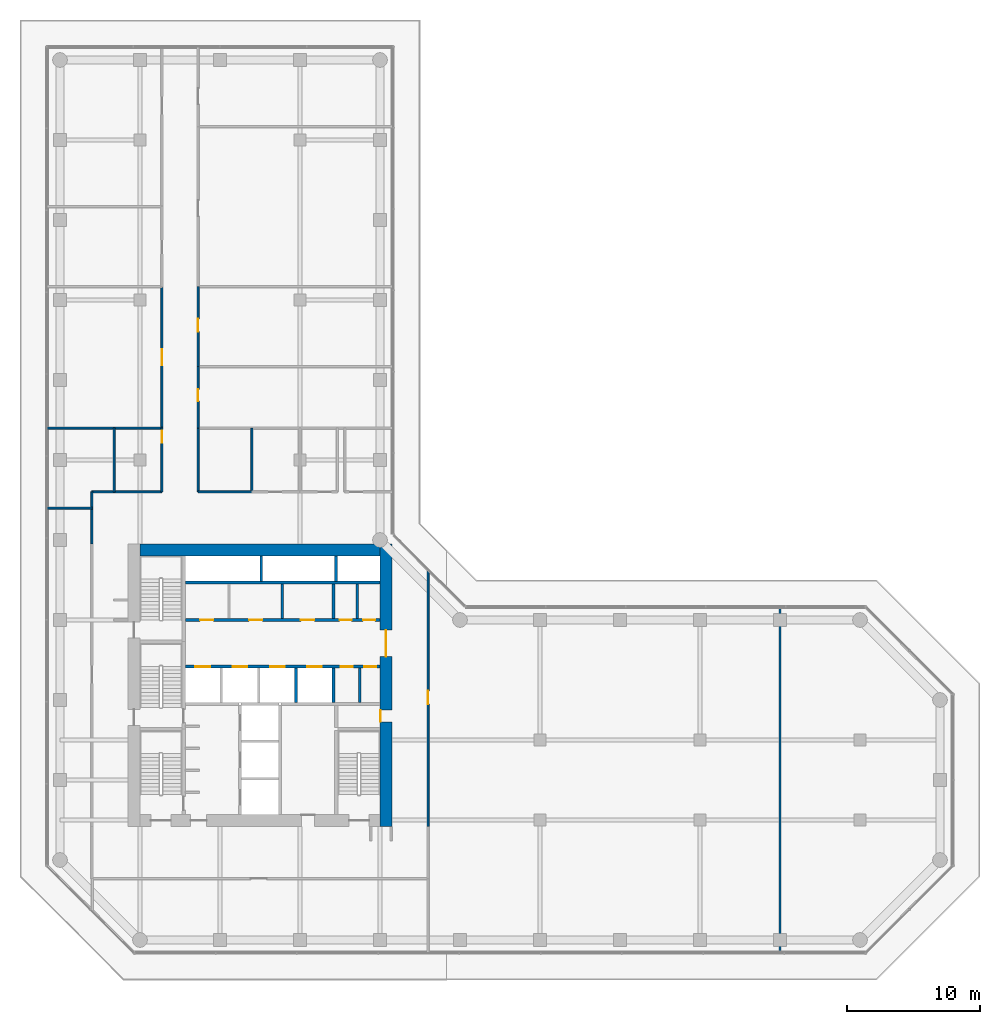
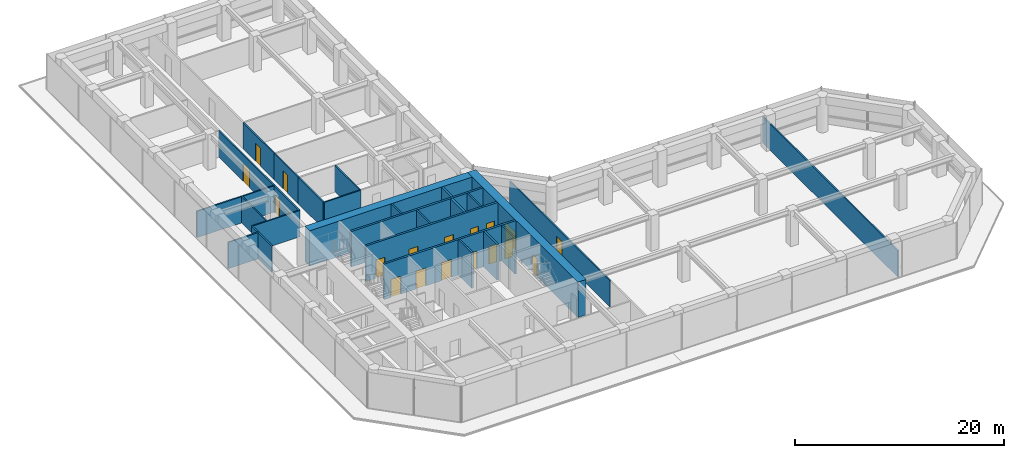
# One storey, part 22 of 24: 27 walls, 18 doors, 18 openings.
"""IFC4 building model written with IfcOpenShell, lengths in metres."""

from ifc_helpers import new_model, si_unit, direction, frame, frame_2d, origin, place, context, subcontext, project, spatial, rectangle, extrude, material, layer, layer_set, type_object, element, fill, save


model = new_model("IFC4")

# Units and contexts
model_context = context("Model", 3, precision=1e-05, world=origin(), true_north=direction((0.0, 1.0)))
body_context = subcontext(model_context, "Body", "Model", "MODEL_VIEW")
ifc_project = project(units=[si_unit("LENGTHUNIT", "METRE"), si_unit("AREAUNIT", "SQUARE_METRE"), si_unit("VOLUMEUNIT", "CUBIC_METRE"), si_unit("PLANEANGLEUNIT", "RADIAN"), si_unit("MASSUNIT", "GRAM", prefix="KILO")], contexts=[model_context])

# Site, building, storey
site_placement = place(None, origin())
site = spatial("IfcSite", under=ifc_project, at=site_placement, CompositionType="ELEMENT")
building_placement = place(site_placement, origin())
building = spatial("IfcBuilding", under=site, at=building_placement, Name="Welwitschia Terrace Campus", CompositionType="ELEMENT")
storey_placement = place(building_placement, frame((0.0, 0.0, 20.0)))
storey = spatial("IfcBuildingStorey", under=building, at=storey_placement, Name="L04", CompositionType="ELEMENT", Elevation=20.0)

# Walls
ifc_material_1 = material(Name="Concrete C32/40", Category="concrete")
ifc_layer_1 = layer(ifc_material_1, 0.175048828125)
ifc_layer_set_1 = layer_set([ifc_layer_1], Name="Concrete C32/40")
wall_type_1 = type_object("IfcWallType", Name="Core partition 175 Concrete C32/40", PredefinedType="PARTITIONING", material=ifc_layer_set_1)
for number, where, z_axis, x_axis, name in (
    (1, (16.675048828125, 20.10009765625, 0.0), (0.0, 0.0, 1.0), (0.0, 1.0, 0.0), "Core partition"),
    (2, (22.300048828125, 20.10009765625, 0.0), (0.0, 0.0, 1.0), (0.0, 1.0, 0.0), "Core partition"),
    (3, (22.469970703125, 13.800048828125, 0.0), (0.0, 0.0, 1.0), (0.0, 1.0, 0.0), "Core partition"),
):
    element("IfcWall", number, at=place(storey_placement, frame(where, z_axis=z_axis, x_axis=x_axis)), inside=storey, type_object=wall_type_1, Name=name, PredefinedType="PARTITIONING", context=body_context, shape_type="SweptSolid", body=[
        extrude(rectangle(XDim=2.599853515625, YDim=0.175048828125, at=frame_2d((1.2998046875, 0.0))), origin(), (0.0, 0.0, 1.0), 4.14990234375),
    ])

# Wall, openings, doors
ifc_material_2 = material(Name="Concrete C32/40", Category="concrete")
ifc_layer_2 = layer(ifc_material_2, 0.22509765625)
ifc_layer_set_2 = layer_set([ifc_layer_2], Name="Concrete C32/40")
wall_type_2 = type_object("IfcWallType", Name="Core partition 225 Concrete C32/40", PredefinedType="PARTITIONING", material=ifc_layer_set_2)
wall_1_placement = place(storey_placement, frame((9.39990234375, 16.5, 0.0), z_axis=(0.0, 0.0, 1.0), x_axis=(1.0, 0.0, 0.0)))
wall_1 = element("IfcWall", 4, at=wall_1_placement, inside=storey, type_object=wall_type_2, Name="Shaft wall", PredefinedType="PARTITIONING", context=body_context, shape_type="SweptSolid", body=[
    extrude(rectangle(XDim=14.60009765625, YDim=0.22509765625, at=frame_2d((7.300048828125, 0.0))), origin(), (0.0, 0.0, 1.0), 4.14990234375),
])
opening_1_placement = place(wall_1_placement, frame((0.75, 0.0, 0.0)))
opening_1 = element("IfcOpeningElement", 5, at=opening_1_placement, cuts=wall_1, Name="Opening LD", PredefinedType="OPENING", context=body_context, shape_type="SweptSolid", body=[
    extrude(rectangle(XDim=1.10009765625, YDim=2.10009765625, at=frame_2d((0.550048828125, 1.050048828125))), frame((0.0, 0.12255859375, 0.0), z_axis=(0.0, -1.0, 0.0), x_axis=(1.0, 0.0, 0.0)), (0.0, 0.0, 1.0), 0.2451171875),
])
opening_2_placement = place(wall_1_placement, frame((3.550048828125, 0.0, 0.0)))
opening_2 = element("IfcOpeningElement", 6, at=opening_2_placement, cuts=wall_1, Name="Opening LD", PredefinedType="OPENING", context=body_context, shape_type="SweptSolid", body=[
    extrude(rectangle(XDim=1.10009765625, YDim=2.10009765625, at=frame_2d((0.550048828125, 1.050048828125))), frame((0.0, 0.12255859375, 0.0), z_axis=(0.0, -1.0, 0.0), x_axis=(1.0, 0.0, 0.0)), (0.0, 0.0, 1.0), 0.2451171875),
])
opening_3_placement = place(wall_1_placement, frame((6.35009765625, 0.0, 0.0)))
opening_3 = element("IfcOpeningElement", 7, at=opening_3_placement, cuts=wall_1, Name="Opening LD", PredefinedType="OPENING", context=body_context, shape_type="SweptSolid", body=[
    extrude(rectangle(XDim=1.10009765625, YDim=2.10009765625, at=frame_2d((0.550048828125, 1.050048828125))), frame((0.0, 0.12255859375, 0.0), z_axis=(0.0, -1.0, 0.0), x_axis=(1.0, 0.0, 0.0)), (0.0, 0.0, 1.0), 0.2451171875),
])
opening_4_placement = place(wall_1_placement, frame((9.14990234375, 0.0, 0.0)))
opening_4 = element("IfcOpeningElement", 8, at=opening_4_placement, cuts=wall_1, Name="Opening LD", PredefinedType="OPENING", context=body_context, shape_type="SweptSolid", body=[
    extrude(rectangle(XDim=1.10009765625, YDim=2.10009765625, at=frame_2d((0.550048828125, 1.050048828125))), frame((0.0, 0.12255859375, 0.0), z_axis=(0.0, -1.0, 0.0), x_axis=(1.0, 0.0, 0.0)), (0.0, 0.0, 1.0), 0.2451171875),
])
opening_5_placement = place(wall_1_placement, frame((11.6474609375, 0.0, 0.0)))
opening_5 = element("IfcOpeningElement", 9, at=opening_5_placement, cuts=wall_1, Name="Opening DR09", PredefinedType="OPENING", context=body_context, shape_type="SweptSolid", body=[
    extrude(rectangle(XDim=0.89990234375, YDim=2.10009765625, at=frame_2d((0.449951171875, 1.050048828125))), frame((0.0, 0.12255859375, 0.0), z_axis=(0.0, -1.0, 0.0), x_axis=(1.0, 0.0, 0.0)), (0.0, 0.0, 1.0), 0.2451171875),
])
opening_6_placement = place(wall_1_placement, frame((13.422607421875, 0.0, 0.0)))
opening_6 = element("IfcOpeningElement", 10, at=opening_6_placement, cuts=wall_1, Name="Opening DR09", PredefinedType="OPENING", context=body_context, shape_type="SweptSolid", body=[
    extrude(rectangle(XDim=0.89990234375, YDim=2.10009765625, at=frame_2d((0.449951171875, 1.050048828125))), frame((0.0, 0.12255859375, 0.0), z_axis=(0.0, -1.0, 0.0), x_axis=(1.0, 0.0, 0.0)), (0.0, 0.0, 1.0), 0.2451171875),
])
ifc_material_3 = material(Name="Steel S275", Category="steel")
door_type_1 = type_object("IfcDoorType", Name="Core door DR09", OperationType="SINGLE_SWING_LEFT", PredefinedType="DOOR", material=ifc_material_3)
door_1_placement = place(opening_5_placement, origin())
door_1 = element("IfcDoor", 11, at=door_1_placement, inside=storey, type_object=door_type_1, Name="Door EL1-D", OperationType="SINGLE_SWING_RIGHT", OverallHeight=2.10009765625, OverallWidth=0.89990234375, PredefinedType="DOOR", context=body_context, shape_type="SweptSolid", body=[
    extrude(rectangle(XDim=0.89990234375, YDim=2.10009765625, at=frame_2d((0.449951171875, 1.050048828125))), frame((0.0, 0.02490234375, 0.0), z_axis=(0.0, -1.0, 0.0), x_axis=(1.0, 0.0, 0.0)), (0.0, 0.0, 1.0), 0.050048828125),
])
fill(opening_5, door_1)
door_2_placement = place(opening_6_placement, origin())
door_2 = element("IfcDoor", 12, at=door_2_placement, inside=storey, type_object=door_type_1, Name="Door EL2-D", OperationType="SINGLE_SWING_RIGHT", OverallHeight=2.10009765625, OverallWidth=0.89990234375, PredefinedType="DOOR", context=body_context, shape_type="SweptSolid", body=[
    extrude(rectangle(XDim=0.89990234375, YDim=2.10009765625, at=frame_2d((0.449951171875, 1.050048828125))), frame((0.0, 0.02490234375, 0.0), z_axis=(0.0, -1.0, 0.0), x_axis=(1.0, 0.0, 0.0)), (0.0, 0.0, 1.0), 0.050048828125),
])
fill(opening_6, door_2)
ifc_material_4 = material(Name="Stainless steel 304", Category="steel")
door_type_2 = type_object("IfcDoorType", Name="Lift landing door", OperationType="DOUBLE_DOOR_SLIDING", PredefinedType="DOOR", material=ifc_material_4)
door_3_placement = place(opening_1_placement, origin())
door_3 = element("IfcDoor", 13, at=door_3_placement, inside=storey, type_object=door_type_2, Name="Landing door LR1", OperationType="DOUBLE_DOOR_SLIDING", OverallHeight=2.10009765625, OverallWidth=1.10009765625, PredefinedType="DOOR", context=body_context, shape_type="SweptSolid", body=[
    extrude(rectangle(XDim=1.10009765625, YDim=2.10009765625, at=frame_2d((0.550048828125, 1.050048828125))), frame((0.0, 0.02490234375, 0.0), z_axis=(0.0, -1.0, 0.0), x_axis=(1.0, 0.0, 0.0)), (0.0, 0.0, 1.0), 0.050048828125),
])
fill(opening_1, door_3)
door_4_placement = place(opening_2_placement, origin())
door_4 = element("IfcDoor", 14, at=door_4_placement, inside=storey, type_object=door_type_2, Name="Landing door LR2", OperationType="DOUBLE_DOOR_SLIDING", OverallHeight=2.10009765625, OverallWidth=1.10009765625, PredefinedType="DOOR", context=body_context, shape_type="SweptSolid", body=[
    extrude(rectangle(XDim=1.10009765625, YDim=2.10009765625, at=frame_2d((0.550048828125, 1.050048828125))), frame((0.0, 0.02490234375, 0.0), z_axis=(0.0, -1.0, 0.0), x_axis=(1.0, 0.0, 0.0)), (0.0, 0.0, 1.0), 0.050048828125),
])
fill(opening_2, door_4)
door_5_placement = place(opening_3_placement, origin())
door_5 = element("IfcDoor", 15, at=door_5_placement, inside=storey, type_object=door_type_2, Name="Landing door LR3", OperationType="DOUBLE_DOOR_SLIDING", OverallHeight=2.10009765625, OverallWidth=1.10009765625, PredefinedType="DOOR", context=body_context, shape_type="SweptSolid", body=[
    extrude(rectangle(XDim=1.10009765625, YDim=2.10009765625, at=frame_2d((0.550048828125, 1.050048828125))), frame((0.0, 0.02490234375, 0.0), z_axis=(0.0, -1.0, 0.0), x_axis=(1.0, 0.0, 0.0)), (0.0, 0.0, 1.0), 0.050048828125),
])
fill(opening_3, door_5)
door_6_placement = place(opening_4_placement, origin())
door_6 = element("IfcDoor", 16, at=door_6_placement, inside=storey, type_object=door_type_2, Name="Landing door LR4", OperationType="DOUBLE_DOOR_SLIDING", OverallHeight=2.10009765625, OverallWidth=1.10009765625, PredefinedType="DOOR", context=body_context, shape_type="SweptSolid", body=[
    extrude(rectangle(XDim=1.10009765625, YDim=2.10009765625, at=frame_2d((0.550048828125, 1.050048828125))), frame((0.0, 0.02490234375, 0.0), z_axis=(0.0, -1.0, 0.0), x_axis=(1.0, 0.0, 0.0)), (0.0, 0.0, 1.0), 0.050048828125),
])
fill(opening_4, door_6)

wall_2_placement = place(storey_placement, frame((24.0, 20.0, 0.0), z_axis=(0.0, 0.0, 1.0), x_axis=(-1.0, 0.0, 0.0)))
wall_2 = element("IfcWall", 17, at=wall_2_placement, inside=storey, type_object=wall_type_2, Name="Core partition", PredefinedType="PARTITIONING", context=body_context, shape_type="SweptSolid", body=[
    extrude(rectangle(XDim=14.60009765625, YDim=0.22509765625, at=frame_2d((7.300048828125, 0.0))), origin(), (0.0, 0.0, 1.0), 4.14990234375),
])
opening_7_placement = place(wall_2_placement, frame((12.5, 0.0, 0.0)))
opening_7 = element("IfcOpeningElement", 18, at=opening_7_placement, cuts=wall_2, Name="Opening DR10", PredefinedType="OPENING", context=body_context, shape_type="SweptSolid", body=[
    extrude(rectangle(XDim=1.0, YDim=2.10009765625, at=frame_2d((0.5, 1.050048828125))), frame((0.0, 0.12255859375, 0.0), z_axis=(0.0, -1.0, 0.0), x_axis=(1.0, 0.0, 0.0)), (0.0, 0.0, 1.0), 0.2451171875),
])
opening_8_placement = place(wall_2_placement, frame((8.824951171875, 0.0, 0.0)))
opening_8 = element("IfcOpeningElement", 19, at=opening_8_placement, cuts=wall_2, Name="Opening DR10", PredefinedType="OPENING", context=body_context, shape_type="SweptSolid", body=[
    extrude(rectangle(XDim=1.0, YDim=2.10009765625, at=frame_2d((0.5, 1.050048828125))), frame((0.0, 0.12255859375, 0.0), z_axis=(0.0, -1.0, 0.0), x_axis=(1.0, 0.0, 0.0)), (0.0, 0.0, 1.0), 0.2451171875),
])
opening_9_placement = place(wall_2_placement, frame((4.925048828125, 0.0, 0.0)))
opening_9 = element("IfcOpeningElement", 20, at=opening_9_placement, cuts=wall_2, Name="Opening DR10", PredefinedType="OPENING", context=body_context, shape_type="SweptSolid", body=[
    extrude(rectangle(XDim=1.0, YDim=2.10009765625, at=frame_2d((0.5, 1.050048828125))), frame((0.0, 0.12255859375, 0.0), z_axis=(0.0, -1.0, 0.0), x_axis=(1.0, 0.0, 0.0)), (0.0, 0.0, 1.0), 0.2451171875),
])
opening_10_placement = place(wall_2_placement, frame((2.137451171875, 0.0, 0.0)))
opening_10 = element("IfcOpeningElement", 21, at=opening_10_placement, cuts=wall_2, Name="Opening DR09", PredefinedType="OPENING", context=body_context, shape_type="SweptSolid", body=[
    extrude(rectangle(XDim=0.89990234375, YDim=2.10009765625, at=frame_2d((0.449951171875, 1.050048828125))), frame((0.0, 0.12255859375, 0.0), z_axis=(0.0, -1.0, 0.0), x_axis=(1.0, 0.0, 0.0)), (0.0, 0.0, 1.0), 0.2451171875),
])
opening_11_placement = place(wall_2_placement, frame((0.362548828125, 0.0, 0.0)))
opening_11 = element("IfcOpeningElement", 22, at=opening_11_placement, cuts=wall_2, Name="Opening DR09", PredefinedType="OPENING", context=body_context, shape_type="SweptSolid", body=[
    extrude(rectangle(XDim=0.89990234375, YDim=2.10009765625, at=frame_2d((0.449951171875, 1.050048828125))), frame((0.0, 0.12255859375, 0.0), z_axis=(0.0, -1.0, 0.0), x_axis=(1.0, 0.0, 0.0)), (0.0, 0.0, 1.0), 0.2451171875),
])
door_7_placement = place(opening_10_placement, origin())
door_7 = element("IfcDoor", 23, at=door_7_placement, inside=storey, type_object=door_type_1, Name="Door EH1-D", OperationType="SINGLE_SWING_LEFT", OverallHeight=2.10009765625, OverallWidth=0.89990234375, PredefinedType="DOOR", context=body_context, shape_type="SweptSolid", body=[
    extrude(rectangle(XDim=0.89990234375, YDim=2.10009765625, at=frame_2d((0.449951171875, 1.050048828125))), frame((0.0, 0.02490234375, 0.0), z_axis=(0.0, -1.0, 0.0), x_axis=(1.0, 0.0, 0.0)), (0.0, 0.0, 1.0), 0.050048828125),
])
fill(opening_10, door_7)
door_8_placement = place(opening_11_placement, origin())
door_8 = element("IfcDoor", 24, at=door_8_placement, inside=storey, type_object=door_type_1, Name="Door EH2-D", OperationType="SINGLE_SWING_LEFT", OverallHeight=2.10009765625, OverallWidth=0.89990234375, PredefinedType="DOOR", context=body_context, shape_type="SweptSolid", body=[
    extrude(rectangle(XDim=0.89990234375, YDim=2.10009765625, at=frame_2d((0.449951171875, 1.050048828125))), frame((0.0, 0.02490234375, 0.0), z_axis=(0.0, -1.0, 0.0), x_axis=(1.0, 0.0, 0.0)), (0.0, 0.0, 1.0), 0.050048828125),
])
fill(opening_11, door_8)
ifc_material_5 = material(Name="Steel S275", Category="steel")
door_type_3 = type_object("IfcDoorType", Name="Core door DR10", OperationType="SINGLE_SWING_LEFT", PredefinedType="DOOR", material=ifc_material_5)
door_9_placement = place(opening_7_placement, origin())
door_9 = element("IfcDoor", 25, at=door_9_placement, inside=storey, type_object=door_type_3, Name="Door BAYH1-D", OperationType="SINGLE_SWING_RIGHT", OverallHeight=2.10009765625, OverallWidth=1.0, PredefinedType="DOOR", context=body_context, shape_type="SweptSolid", body=[
    extrude(rectangle(XDim=1.0, YDim=2.10009765625, at=frame_2d((0.5, 1.050048828125))), frame((0.0, 0.02490234375, 0.0), z_axis=(0.0, -1.0, 0.0), x_axis=(1.0, 0.0, 0.0)), (0.0, 0.0, 1.0), 0.050048828125),
])
fill(opening_7, door_9)
door_10_placement = place(opening_8_placement, origin())
door_10 = element("IfcDoor", 26, at=door_10_placement, inside=storey, type_object=door_type_3, Name="Door BAYH2-D", OperationType="SINGLE_SWING_RIGHT", OverallHeight=2.10009765625, OverallWidth=1.0, PredefinedType="DOOR", context=body_context, shape_type="SweptSolid", body=[
    extrude(rectangle(XDim=1.0, YDim=2.10009765625, at=frame_2d((0.5, 1.050048828125))), frame((0.0, 0.02490234375, 0.0), z_axis=(0.0, -1.0, 0.0), x_axis=(1.0, 0.0, 0.0)), (0.0, 0.0, 1.0), 0.050048828125),
])
fill(opening_8, door_10)
door_11_placement = place(opening_9_placement, origin())
door_11 = element("IfcDoor", 27, at=door_11_placement, inside=storey, type_object=door_type_3, Name="Door BAYH3-D", OperationType="SINGLE_SWING_LEFT", OverallHeight=2.10009765625, OverallWidth=1.0, PredefinedType="DOOR", context=body_context, shape_type="SweptSolid", body=[
    extrude(rectangle(XDim=1.0, YDim=2.10009765625, at=frame_2d((0.5, 1.050048828125))), frame((0.0, 0.02490234375, 0.0), z_axis=(0.0, -1.0, 0.0), x_axis=(1.0, 0.0, 0.0)), (0.0, 0.0, 1.0), 0.050048828125),
])
fill(opening_9, door_11)

# Walls
wall_3_placement = place(storey_placement, frame((9.39990234375, 22.800048828125, 0.0), z_axis=(0.0, 0.0, 1.0), x_axis=(1.0, 0.0, 0.0)))
element("IfcWall", 28, at=wall_3_placement, inside=storey, type_object=wall_type_2, Name="Shaft wall", PredefinedType="PARTITIONING", context=body_context, shape_type="SweptSolid", body=[
    extrude(rectangle(XDim=14.60009765625, YDim=0.22509765625, at=frame_2d((7.300048828125, 0.0))), origin(), (0.0, 0.0, 1.0), 4.14990234375),
])
for number, where, z_axis, x_axis, name in (
    (29, (20.5, 13.800048828125, 0.0), (0.0, 0.0, 1.0), (0.0, 1.0, 0.0), "Shaft wall"),
    (30, (20.5, 20.10009765625, 0.0), (0.0, 0.0, 1.0), (0.0, 1.0, 0.0), "Core partition"),
):
    element("IfcWall", number, at=place(storey_placement, frame(where, z_axis=z_axis, x_axis=x_axis)), inside=storey, type_object=wall_type_2, Name=name, PredefinedType="PARTITIONING", context=body_context, shape_type="SweptSolid", body=[
        extrude(rectangle(XDim=2.599853515625, YDim=0.22509765625, at=frame_2d((1.2998046875, 0.0))), origin(), (0.0, 0.0, 1.0), 4.14990234375),
    ])
ifc_material_6 = material(Name="Concrete C50/60", Category="concrete")
ifc_layer_3 = layer(ifc_material_6, 0.199951171875)
ifc_layer_set_3 = layer_set([ifc_layer_3], Name="Concrete C50/60")
wall_type_3 = type_object("IfcWallType", Name="Core wall 200 Concrete C50/60", PredefinedType="SHEAR", material=ifc_layer_set_3)
for number, where, z_axis, x_axis, name in (
    (31, (15.10009765625, 22.89990234375, 0.0), (0.0, 0.0, 1.0), (0.0, 1.0, 0.0), "Core wall"),
    (32, (20.699951171875, 22.89990234375, 0.0), (0.0, 0.0, 1.0), (0.0, 1.0, 0.0), "Core wall"),
):
    element("IfcWall", number, at=place(storey_placement, frame(where, z_axis=z_axis, x_axis=x_axis)), inside=storey, type_object=wall_type_3, Name=name, PredefinedType="SHEAR", context=body_context, shape_type="SweptSolid", body=[
        extrude(rectangle(XDim=1.900146484375, YDim=0.199951171875, at=frame_2d((0.9501953125, 0.0))), origin(), (0.0, 0.0, 1.0), 4.14990234375),
    ])

# Wall, openings, doors
ifc_material_7 = material(Name="Concrete C70/85", Category="concrete")
ifc_layer_4 = layer(ifc_material_7, 0.89990234375)
ifc_layer_set_4 = layer_set([ifc_layer_4], Name="Concrete C70/85")
wall_type_4 = type_object("IfcWallType", Name="Core wall 900 Concrete C70/85", PredefinedType="SHEAR", material=ifc_layer_set_4)
wall_4_placement = place(storey_placement, frame((24.449951171875, 25.699951171875, 0.0), z_axis=(0.0, 0.0, 1.0), x_axis=(0.0, -1.0, 0.0)))
wall_4 = element("IfcWall", 33, at=wall_4_placement, inside=storey, type_object=wall_type_4, Name="Core outer wall", PredefinedType="SHEAR", context=body_context, shape_type="SweptSolid", body=[
    extrude(rectangle(XDim=21.199951171875, YDim=0.89990234375, at=frame_2d((10.60009765625, 0.0))), origin(), (0.0, 0.0, 1.0), 4.14990234375),
])
opening_12_placement = place(wall_4_placement, frame((12.449951171875, 0.0, 0.0)))
opening_12 = element("IfcOpeningElement", 34, at=opening_12_placement, cuts=wall_4, Name="Opening DR09", PredefinedType="OPENING", context=body_context, shape_type="SweptSolid", body=[
    extrude(rectangle(XDim=0.89990234375, YDim=2.10009765625, at=frame_2d((0.449951171875, 1.050048828125))), frame((0.0, 0.4599609375, 0.0), z_axis=(0.0, -1.0, 0.0), x_axis=(1.0, 0.0, 0.0)), (0.0, 0.0, 1.0), 0.919921875),
])
opening_13_placement = place(wall_4_placement, frame((6.449951171875, 0.0, 0.0)))
opening_13 = element("IfcOpeningElement", 35, at=opening_13_placement, cuts=wall_4, Name="Opening DL20", PredefinedType="OPENING", context=body_context, shape_type="SweptSolid", body=[
    extrude(rectangle(XDim=2.0, YDim=2.10009765625, at=frame_2d((1.0, 1.050048828125))), frame((0.0, 0.4599609375, 0.0), z_axis=(0.0, -1.0, 0.0), x_axis=(1.0, 0.0, 0.0)), (0.0, 0.0, 1.0), 0.919921875),
])
ifc_material_8 = material(Name="Steel S275", Category="steel")
door_type_4 = type_object("IfcDoorType", Name="Core door DL20", OperationType="DOUBLE_DOOR_SINGLE_SWING", PredefinedType="DOOR", material=ifc_material_8)
door_12_placement = place(opening_13_placement, origin())
door_12 = element("IfcDoor", 36, at=door_12_placement, inside=storey, type_object=door_type_4, Name="Door LOBBY-out", OperationType="DOUBLE_DOOR_SINGLE_SWING", OverallHeight=2.10009765625, OverallWidth=2.0, PredefinedType="DOOR", context=body_context, shape_type="SweptSolid", body=[
    extrude(rectangle(XDim=2.0, YDim=2.10009765625, at=frame_2d((1.0, 1.050048828125))), frame((0.0, 0.02490234375, 0.0), z_axis=(0.0, -1.0, 0.0), x_axis=(1.0, 0.0, 0.0)), (0.0, 0.0, 1.0), 0.050048828125),
])
fill(opening_13, door_12)
door_13_placement = place(opening_12_placement, origin())
door_13 = element("IfcDoor", 37, at=door_13_placement, inside=storey, type_object=door_type_1, Name="Door F1B-out", OperationType="SINGLE_SWING_RIGHT", OverallHeight=2.10009765625, OverallWidth=0.89990234375, PredefinedType="DOOR", context=body_context, shape_type="SweptSolid", body=[
    extrude(rectangle(XDim=0.89990234375, YDim=2.10009765625, at=frame_2d((0.449951171875, 1.050048828125))), frame((0.0, -0.39013671875, 0.0), z_axis=(0.0, -1.0, 0.0), x_axis=(1.0, 0.0, 0.0)), (0.0, 0.0, 1.0), 0.050048828125),
])
fill(opening_12, door_13)

# Walls
wall_5_placement = place(storey_placement, frame((6.0, 25.25, 0.0), z_axis=(0.0, 0.0, 1.0), x_axis=(1.0, 0.0, 0.0)))
element("IfcWall", 38, at=wall_5_placement, inside=storey, type_object=wall_type_4, Name="Core outer wall", PredefinedType="SHEAR", context=body_context, shape_type="SweptSolid", body=[
    extrude(rectangle(XDim=18.0, YDim=0.89990234375, at=frame_2d((9.0, 0.0))), origin(), (0.0, 0.0, 1.0), 4.14990234375),
])
ifc_material_9 = material(Name="Gypsum board on steel studs", Category="steel")
ifc_layer_5 = layer(ifc_material_9, 0.14990234375)
ifc_layer_set_5 = layer_set([ifc_layer_5], Name="Gypsum board on steel studs")
wall_type_5 = type_object("IfcWallType", Name="Corridor partition 150 EI 30", PredefinedType="PARTITIONING", material=ifc_layer_set_5)
wall_6_placement = place(storey_placement, frame((-0.969970703125, 28.39990234375, 0.0), z_axis=(0.0, 0.0, 1.0), x_axis=(1.0, 0.0, 0.0)))
element("IfcWall", 39, at=wall_6_placement, inside=storey, type_object=wall_type_5, Name="Partition", PredefinedType="PARTITIONING", context=body_context, shape_type="SweptSolid", body=[
    extrude(rectangle(XDim=3.369873046875, YDim=0.14990234375, at=frame_2d((1.68505859375, 0.0))), origin(), (0.0, 0.0, 1.0), 3.080078125),
])
wall_7_placement = place(storey_placement, frame((-0.969970703125, 34.39990234375, 0.0), z_axis=(0.0, 0.0, 1.0), x_axis=(1.0, 0.0, 0.0)))
element("IfcWall", 40, at=wall_7_placement, inside=storey, type_object=wall_type_5, Name="Partition", PredefinedType="PARTITIONING", context=body_context, shape_type="SweptSolid", body=[
    extrude(rectangle(XDim=8.619873046875, YDim=0.14990234375, at=frame_2d((4.31005859375, 0.0))), origin(), (0.0, 0.0, 1.0), 3.080078125),
])
wall_8_placement = place(storey_placement, frame((2.39990234375, 25.699951171875, 0.0), z_axis=(0.0, 0.0, 1.0), x_axis=(0.0, 1.0, 0.0)))
element("IfcWall", 41, at=wall_8_placement, inside=storey, type_object=wall_type_5, Name="Partition", PredefinedType="PARTITIONING", context=body_context, shape_type="SweptSolid", body=[
    extrude(rectangle(XDim=3.900146484375, YDim=0.14990234375, at=frame_2d((1.9501953125, 0.0))), origin(), (0.0, 0.0, 1.0), 3.080078125),
])
wall_9_placement = place(storey_placement, frame((2.39990234375, 29.60009765625, 0.0), z_axis=(0.0, 0.0, 1.0), x_axis=(1.0, 0.0, 0.0)))
element("IfcWall", 42, at=wall_9_placement, inside=storey, type_object=wall_type_5, Name="Partition", PredefinedType="PARTITIONING", context=body_context, shape_type="SweptSolid", body=[
    extrude(rectangle(XDim=5.25, YDim=0.14990234375, at=frame_2d((2.625, 0.0))), origin(), (0.0, 0.0, 1.0), 3.080078125),
])
wall_10_placement = place(storey_placement, frame((4.050048828125, 29.60009765625, 0.0), z_axis=(0.0, 0.0, 1.0), x_axis=(0.0, 1.0, 0.0)))
element("IfcWall", 43, at=wall_10_placement, inside=storey, type_object=wall_type_5, Name="Partition", PredefinedType="PARTITIONING", context=body_context, shape_type="SweptSolid", body=[
    extrude(rectangle(XDim=4.7998046875, YDim=0.14990234375, at=frame_2d((2.39990234375, 0.0))), origin(), (0.0, 0.0, 1.0), 3.080078125),
])

# Wall, opening, door
wall_11_placement = place(storey_placement, frame((7.64990234375, 29.60009765625, 0.0), z_axis=(0.0, 0.0, 1.0), x_axis=(0.0, 1.0, 0.0)))
wall_11 = element("IfcWall", 44, at=wall_11_placement, inside=storey, type_object=wall_type_5, Name="Partition", PredefinedType="PARTITIONING", context=body_context, shape_type="SweptSolid", body=[
    extrude(rectangle(XDim=4.7998046875, YDim=0.14990234375, at=frame_2d((2.39990234375, 0.0))), origin(), (0.0, 0.0, 1.0), 3.080078125),
])
opening_14_placement = place(wall_11_placement, frame((3.699951171875, 0.0, 0.0)))
opening_14 = element("IfcOpeningElement", 45, at=opening_14_placement, cuts=wall_11, Name="Opening DI09", PredefinedType="OPENING", context=body_context, shape_type="SweptSolid", body=[
    extrude(rectangle(XDim=0.89990234375, YDim=2.10009765625, at=frame_2d((0.449951171875, 1.050048828125))), frame((0.0, 0.0849609375, 0.0), z_axis=(0.0, -1.0, 0.0), x_axis=(1.0, 0.0, 0.0)), (0.0, 0.0, 1.0), 0.169921875),
])
ifc_material_10 = material(Name="Timber veneered door", Category="wood")
door_type_5 = type_object("IfcDoorType", Name="Interior door DI09", OperationType="NOTDEFINED", PredefinedType="DOOR", material=ifc_material_10)
door_14_placement = place(opening_14_placement, origin())
door_14 = element("IfcDoor", 46, at=door_14_placement, inside=storey, type_object=door_type_5, Name="Door L04 122", OperationType="SINGLE_SWING_LEFT", OverallHeight=2.10009765625, OverallWidth=0.89990234375, PredefinedType="DOOR", context=body_context, shape_type="SweptSolid", body=[
    extrude(rectangle(XDim=0.89990234375, YDim=2.10009765625, at=frame_2d((0.449951171875, 1.050048828125))), frame((0.0, 0.02490234375, 0.0), z_axis=(0.0, -1.0, 0.0), x_axis=(1.0, 0.0, 0.0)), (0.0, 0.0, 1.0), 0.050048828125),
])
fill(opening_14, door_14)

wall_12_placement = place(storey_placement, frame((7.64990234375, 34.39990234375, 0.0), z_axis=(0.0, 0.0, 1.0), x_axis=(0.0, 1.0, 0.0)))
wall_12 = element("IfcWall", 47, at=wall_12_placement, inside=storey, type_object=wall_type_5, Name="Partition", PredefinedType="PARTITIONING", context=body_context, shape_type="SweptSolid", body=[
    extrude(rectangle(XDim=10.60009765625, YDim=0.14990234375, at=frame_2d((5.300048828125, 0.0))), origin(), (0.0, 0.0, 1.0), 3.080078125),
])
opening_15_placement = place(wall_12_placement, frame((4.699951171875, 0.0, 0.0)))
opening_15 = element("IfcOpeningElement", 48, at=opening_15_placement, cuts=wall_12, Name="Opening DI12", PredefinedType="OPENING", context=body_context, shape_type="SweptSolid", body=[
    extrude(rectangle(XDim=1.199951171875, YDim=2.10009765625, at=frame_2d((0.60009765625, 1.050048828125))), frame((0.0, 0.0849609375, 0.0), z_axis=(0.0, -1.0, 0.0), x_axis=(1.0, 0.0, 0.0)), (0.0, 0.0, 1.0), 0.169921875),
])
ifc_material_11 = material(Name="Timber veneered door", Category="wood")
door_type_6 = type_object("IfcDoorType", Name="Interior door DI12", OperationType="NOTDEFINED", PredefinedType="DOOR", material=ifc_material_11)
door_15_placement = place(opening_15_placement, origin())
door_15 = element("IfcDoor", 49, at=door_15_placement, inside=storey, type_object=door_type_6, Name="Door L04 123", OperationType="SINGLE_SWING_RIGHT", OverallHeight=2.10009765625, OverallWidth=1.199951171875, PredefinedType="DOOR", context=body_context, shape_type="SweptSolid", body=[
    extrude(rectangle(XDim=1.199951171875, YDim=2.10009765625, at=frame_2d((0.60009765625, 1.050048828125))), frame((0.0, 0.02490234375, 0.0), z_axis=(0.0, -1.0, 0.0), x_axis=(1.0, 0.0, 0.0)), (0.0, 0.0, 1.0), 0.050048828125),
])
fill(opening_15, door_15)

# Walls
wall_13_placement = place(storey_placement, frame((10.35009765625, 29.60009765625, 0.0), z_axis=(0.0, 0.0, 1.0), x_axis=(0.0, 1.0, 0.0)))
element("IfcWall", 50, at=wall_13_placement, inside=storey, type_object=wall_type_5, Name="Partition", PredefinedType="PARTITIONING", context=body_context, shape_type="SweptSolid", body=[
    extrude(rectangle(XDim=4.7998046875, YDim=0.14990234375, at=frame_2d((2.39990234375, 0.0))), origin(), (0.0, 0.0, 1.0), 3.080078125),
])
wall_14_placement = place(storey_placement, frame((10.35009765625, 29.60009765625, 0.0), z_axis=(0.0, 0.0, 1.0), x_axis=(1.0, 0.0, 0.0)))
element("IfcWall", 51, at=wall_14_placement, inside=storey, type_object=wall_type_5, Name="Partition", PredefinedType="PARTITIONING", context=body_context, shape_type="SweptSolid", body=[
    extrude(rectangle(XDim=4.0498046875, YDim=0.14990234375, at=frame_2d((2.02490234375, 0.0))), origin(), (0.0, 0.0, 1.0), 3.080078125),
])

# Wall, opening, door
wall_15_placement = place(storey_placement, frame((10.35009765625, 39.0, 0.0), z_axis=(0.0, 0.0, 1.0), x_axis=(0.0, -1.0, 0.0)))
wall_15 = element("IfcWall", 52, at=wall_15_placement, inside=storey, type_object=wall_type_5, Name="Partition", PredefinedType="PARTITIONING", context=body_context, shape_type="SweptSolid", body=[
    extrude(rectangle(XDim=4.60009765625, YDim=0.14990234375, at=frame_2d((2.300048828125, 0.0))), origin(), (0.0, 0.0, 1.0), 3.080078125),
])
opening_16_placement = place(wall_15_placement, frame((1.699951171875, 0.0, 0.0)))
opening_16 = element("IfcOpeningElement", 53, at=opening_16_placement, cuts=wall_15, Name="Opening DI09", PredefinedType="OPENING", context=body_context, shape_type="SweptSolid", body=[
    extrude(rectangle(XDim=0.89990234375, YDim=2.10009765625, at=frame_2d((0.449951171875, 1.050048828125))), frame((0.0, 0.0849609375, 0.0), z_axis=(0.0, -1.0, 0.0), x_axis=(1.0, 0.0, 0.0)), (0.0, 0.0, 1.0), 0.169921875),
])
door_16_placement = place(opening_16_placement, origin())
door_16 = element("IfcDoor", 54, at=door_16_placement, inside=storey, type_object=door_type_5, Name="Door L04 126", OperationType="SINGLE_SWING_LEFT", OverallHeight=2.10009765625, OverallWidth=0.89990234375, PredefinedType="DOOR", context=body_context, shape_type="SweptSolid", body=[
    extrude(rectangle(XDim=0.89990234375, YDim=2.10009765625, at=frame_2d((0.449951171875, 1.050048828125))), frame((0.0, 0.02490234375, 0.0), z_axis=(0.0, -1.0, 0.0), x_axis=(1.0, 0.0, 0.0)), (0.0, 0.0, 1.0), 0.050048828125),
])
fill(opening_16, door_16)

wall_16_placement = place(storey_placement, frame((10.35009765625, 45.0, 0.0), z_axis=(0.0, 0.0, 1.0), x_axis=(0.0, -1.0, 0.0)))
wall_16 = element("IfcWall", 55, at=wall_16_placement, inside=storey, type_object=wall_type_5, Name="Partition", PredefinedType="PARTITIONING", context=body_context, shape_type="SweptSolid", body=[
    extrude(rectangle(XDim=6.0, YDim=0.14990234375, at=frame_2d((3.0, 0.0))), origin(), (0.0, 0.0, 1.0), 3.080078125),
])
opening_17_placement = place(wall_16_placement, frame((2.39990234375, 0.0, 0.0)))
opening_17 = element("IfcOpeningElement", 56, at=opening_17_placement, cuts=wall_16, Name="Opening DI10", PredefinedType="OPENING", context=body_context, shape_type="SweptSolid", body=[
    extrude(rectangle(XDim=1.0, YDim=2.10009765625, at=frame_2d((0.5, 1.050048828125))), frame((0.0, 0.0849609375, 0.0), z_axis=(0.0, -1.0, 0.0), x_axis=(1.0, 0.0, 0.0)), (0.0, 0.0, 1.0), 0.169921875),
])
ifc_material_12 = material(Name="Timber veneered door", Category="wood")
door_type_7 = type_object("IfcDoorType", Name="Interior door DI10", OperationType="NOTDEFINED", PredefinedType="DOOR", material=ifc_material_12)
door_17_placement = place(opening_17_placement, origin())
door_17 = element("IfcDoor", 57, at=door_17_placement, inside=storey, type_object=door_type_7, Name="Door L04 127", OperationType="SINGLE_SWING_RIGHT", OverallHeight=2.10009765625, OverallWidth=1.0, PredefinedType="DOOR", context=body_context, shape_type="SweptSolid", body=[
    extrude(rectangle(XDim=1.0, YDim=2.10009765625, at=frame_2d((0.5, 1.050048828125))), frame((0.0, 0.02490234375, 0.0), z_axis=(0.0, -1.0, 0.0), x_axis=(1.0, 0.0, 0.0)), (0.0, 0.0, 1.0), 0.050048828125),
])
fill(opening_17, door_17)

# Wall
wall_17_placement = place(storey_placement, frame((14.39990234375, 29.60009765625, 0.0), z_axis=(0.0, 0.0, 1.0), x_axis=(0.0, 1.0, 0.0)))
element("IfcWall", 58, at=wall_17_placement, inside=storey, type_object=wall_type_5, Name="Partition", PredefinedType="PARTITIONING", context=body_context, shape_type="SweptSolid", body=[
    extrude(rectangle(XDim=4.7998046875, YDim=0.14990234375, at=frame_2d((2.39990234375, 0.0))), origin(), (0.0, 0.0, 1.0), 3.080078125),
])

# Wall, opening, door
wall_18_placement = place(storey_placement, frame((27.60009765625, 23.77001953125, 0.0), z_axis=(0.0, 0.0, 1.0), x_axis=(0.0, -1.0, 0.0)))
wall_18 = element("IfcWall", 59, at=wall_18_placement, inside=storey, type_object=wall_type_5, Name="Partition", PredefinedType="PARTITIONING", context=body_context, shape_type="SweptSolid", body=[
    extrude(rectangle(XDim=19.27001953125, YDim=0.14990234375, at=frame_2d((9.635009765625, 0.0))), origin(), (0.0, 0.0, 1.0), 3.080078125),
])
opening_18_placement = place(wall_18_placement, frame((9.070068359375, 0.0, 0.0)))
opening_18 = element("IfcOpeningElement", 60, at=opening_18_placement, cuts=wall_18, Name="Opening DI10", PredefinedType="OPENING", context=body_context, shape_type="SweptSolid", body=[
    extrude(rectangle(XDim=1.0, YDim=2.10009765625, at=frame_2d((0.5, 1.050048828125))), frame((0.0, 0.0849609375, 0.0), z_axis=(0.0, -1.0, 0.0), x_axis=(1.0, 0.0, 0.0)), (0.0, 0.0, 1.0), 0.169921875),
])
door_18_placement = place(opening_18_placement, origin())
door_18 = element("IfcDoor", 61, at=door_18_placement, inside=storey, type_object=door_type_7, Name="Door L04 134", OperationType="SINGLE_SWING_LEFT", OverallHeight=2.10009765625, OverallWidth=1.0, PredefinedType="DOOR", context=body_context, shape_type="SweptSolid", body=[
    extrude(rectangle(XDim=1.0, YDim=2.10009765625, at=frame_2d((0.5, 1.050048828125))), frame((0.0, 0.02490234375, 0.0), z_axis=(0.0, -1.0, 0.0), x_axis=(1.0, 0.0, 0.0)), (0.0, 0.0, 1.0), 0.050048828125),
])
fill(opening_18, door_18)

# Walls
wall_19_placement = place(storey_placement, frame((54.0, -4.969970703125, 0.0), z_axis=(0.0, 0.0, 1.0), x_axis=(0.0, 1.0, 0.0)))
element("IfcWall", 62, at=wall_19_placement, inside=storey, type_object=wall_type_5, Name="Partition", PredefinedType="PARTITIONING", context=body_context, shape_type="SweptSolid", body=[
    extrude(rectangle(XDim=25.93994140625, YDim=0.14990234375, at=frame_2d((12.969970703125, 0.0))), origin(), (0.0, 0.0, 1.0), 3.080078125),
])
ifc_material_13 = material(Name="Concrete C32/40", Category="concrete")
ifc_layer_6 = layer(ifc_material_13, 0.199951171875)
ifc_layer_set_6 = layer_set([ifc_layer_6], Name="Concrete C32/40")
wall_type_6 = type_object("IfcWallType", Name="Shaft wall 200 Concrete C32/40", PredefinedType="SOLIDWALL", material=ifc_layer_set_6)
wall_20_placement = place(storey_placement, frame((17.699951171875, 13.800048828125, 0.0), z_axis=(0.0, 0.0, 1.0), x_axis=(0.0, 1.0, 0.0)))
element("IfcWall", 63, at=wall_20_placement, inside=storey, type_object=wall_type_6, Name="Shaft wall", PredefinedType="SOLIDWALL", context=body_context, shape_type="SweptSolid", body=[
    extrude(rectangle(XDim=2.599853515625, YDim=0.199951171875, at=frame_2d((1.2998046875, 0.0))), origin(), (0.0, 0.0, 1.0), 4.14990234375),
])

save(model, "model.ifc")
